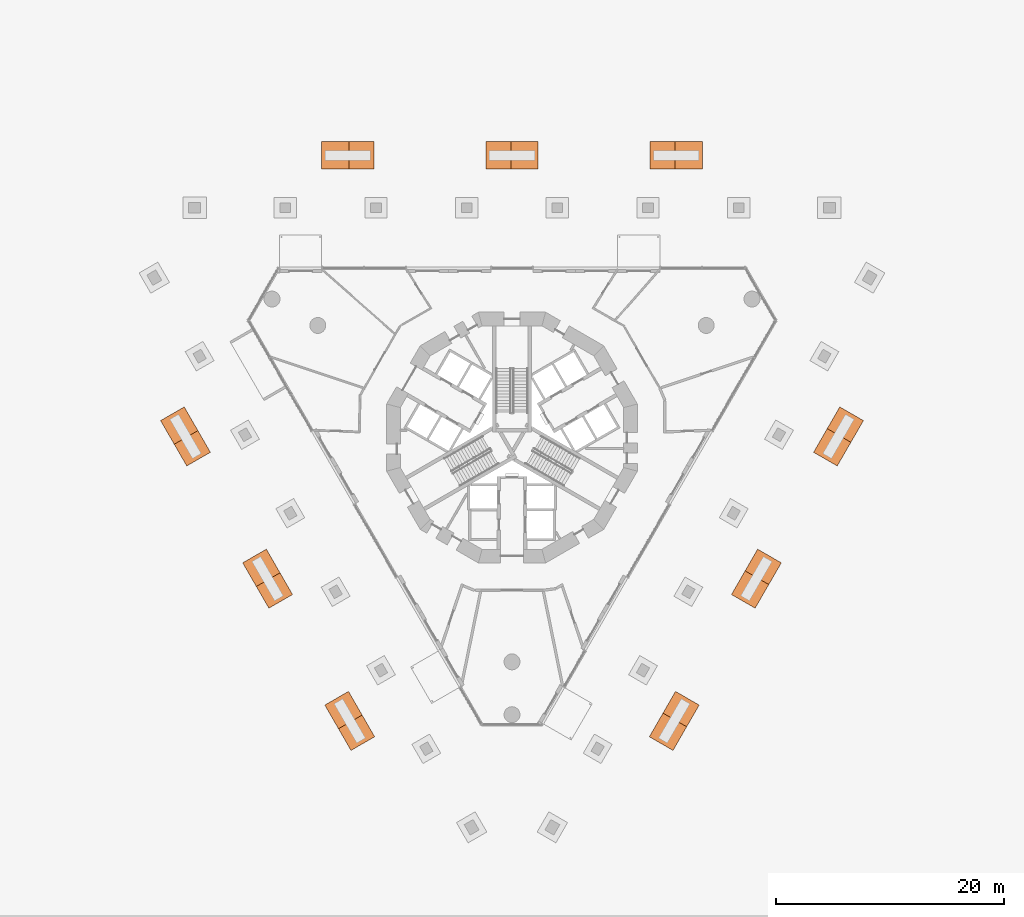
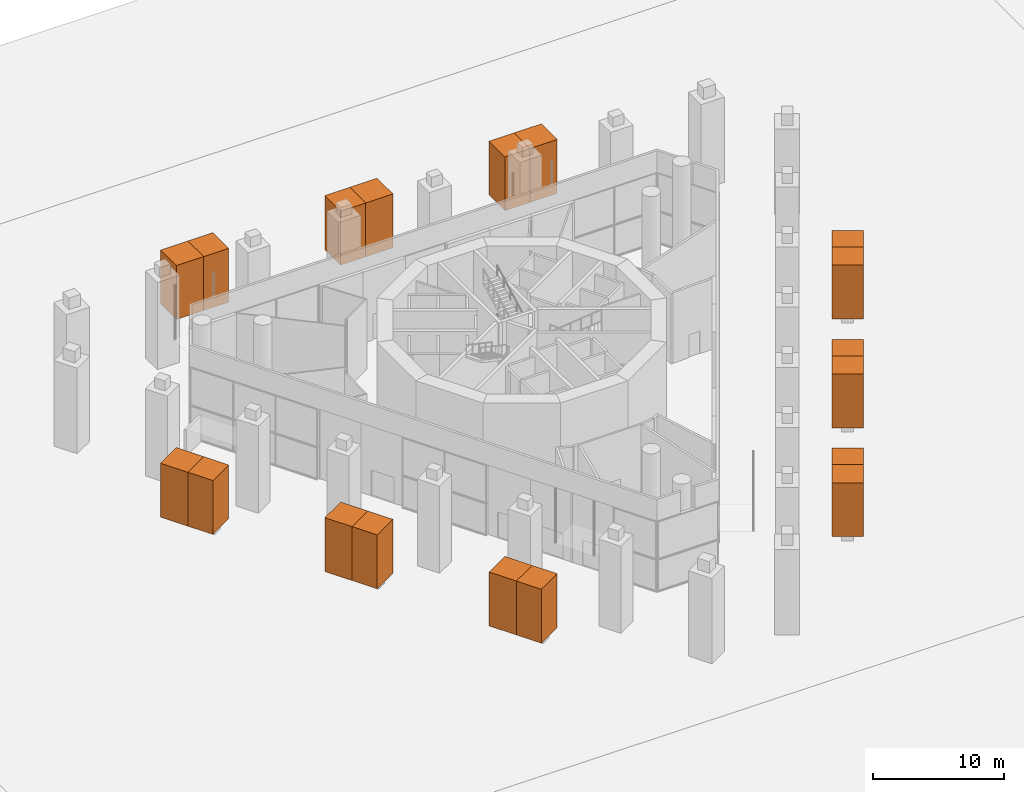
# One storey, part 26 of 26: 18 geographic elements.
"""IFC4 building model written with IfcOpenShell, lengths in metres."""

from ifc_helpers import new_model, si_unit, direction, frame, origin, origin_2d, place, context, subcontext, project, spatial, rectangle, extrude, element, save


model = new_model("IFC4")

# Units and contexts
model_context = context("Model", 3, precision=1e-05, world=origin(), true_north=direction((0.0, 1.0)))
body_context = subcontext(model_context, "Body", "Model", "MODEL_VIEW")
ifc_project = project(units=[si_unit("LENGTHUNIT", "METRE"), si_unit("AREAUNIT", "SQUARE_METRE"), si_unit("VOLUMEUNIT", "CUBIC_METRE"), si_unit("PLANEANGLEUNIT", "RADIAN"), si_unit("MASSUNIT", "GRAM", prefix="KILO")], contexts=[model_context])

# Site, building, storey
site_placement = place(None, origin())
site = spatial("IfcSite", under=ifc_project, at=site_placement, CompositionType="ELEMENT")
building_placement = place(site_placement, origin())
building = spatial("IfcBuilding", under=site, at=building_placement, Name="Trine Commons Tower", CompositionType="ELEMENT")
storey_placement = place(building_placement, origin())
storey = spatial("IfcBuildingStorey", under=building, at=storey_placement, Name="L00", CompositionType="ELEMENT", Elevation=0.0)

# Geographic elements
for number, where, z_axis, x_axis, name in (
    (1, (64.47412109375, 87.28466796875, 0.60009765625), (0.0, 0.0, 1.0), (1.0, 0.0, 0.0), "Plaza tree 1.1"),
    (2, (66.674072265625, 87.28466796875, 0.60009765625), (0.0, 0.0, 1.0), (1.0, 0.0, 0.0), "Plaza tree 1.2"),
    (3, (78.89990234375, 87.28466796875, 0.60009765625), (0.0, 0.0, 1.0), (1.0, 0.0, 0.0), "Plaza tree 2.1"),
    (4, (81.10009765625, 87.28466796875, 0.60009765625), (0.0, 0.0, 1.0), (1.0, 0.0, 0.0), "Plaza tree 2.2"),
    (5, (93.325927734375, 87.28466796875, 0.60009765625), (0.0, 0.0, 1.0), (1.0, 0.0, 0.0), "Plaza tree 3.1"),
    (6, (95.52587890625, 87.28466796875, 0.60009765625), (0.0, 0.0, 1.0), (1.0, 0.0, 0.0), "Plaza tree 3.2"),
    (7, (109.22705078125, 63.553466796875, 0.60009765625), (0.0, 0.0, 1.0), (-0.5, -0.866025403784, 0.0), "Plaza tree 4.1"),
    (8, (108.126953125, 61.648193359375, 0.60009765625), (0.0, 0.0, 1.0), (-0.5, -0.866025403784, 0.0), "Plaza tree 4.2"),
    (9, (102.01416015625, 51.060302734375, 0.60009765625), (0.0, 0.0, 1.0), (-0.5, -0.866025403784, 0.0), "Plaza tree 5.1"),
    (10, (100.9140625, 49.155029296875, 0.60009765625), (0.0, 0.0, 1.0), (-0.5, -0.866025403784, 0.0), "Plaza tree 5.2"),
    (11, (94.80126953125, 38.567138671875, 0.60009765625), (0.0, 0.0, 1.0), (-0.5, -0.866025403784, 0.0), "Plaza tree 6.1"),
    (12, (93.701171875, 36.661865234375, 0.60009765625), (0.0, 0.0, 1.0), (-0.5, -0.866025403784, 0.0), "Plaza tree 6.2"),
    (13, (66.298828125, 36.661865234375, 0.60009765625), (0.0, 0.0, 1.0), (-0.5, 0.866025403784, 0.0), "Plaza tree 7.1"),
    (14, (65.19873046875, 38.567138671875, 0.60009765625), (0.0, 0.0, 1.0), (-0.5, 0.866025403784, 0.0), "Plaza tree 7.2"),
    (15, (59.0859375, 49.155029296875, 0.60009765625), (0.0, 0.0, 1.0), (-0.5, 0.866025403784, 0.0), "Plaza tree 8.1"),
    (16, (57.98583984375, 51.060302734375, 0.60009765625), (0.0, 0.0, 1.0), (-0.5, 0.866025403784, 0.0), "Plaza tree 8.2"),
    (17, (51.873046875, 61.648193359375, 0.60009765625), (0.0, 0.0, 1.0), (-0.5, 0.866025403784, 0.0), "Plaza tree 9.1"),
    (18, (50.77294921875, 63.553466796875, 0.60009765625), (0.0, 0.0, 1.0), (-0.5, 0.866025403784, 0.0), "Plaza tree 9.2"),
):
    element("IfcGeographicElement", number, at=place(storey_placement, frame(where, z_axis=z_axis, x_axis=x_axis)), inside=storey, Name=name, ObjectType="TREE Tabebuia rosea", PredefinedType="USERDEFINED", context=body_context, shape_type="SweptSolid", body=[
        extrude(rectangle(XDim=2.39990234375, YDim=2.39990234375, at=origin_2d()), origin(), (0.0, 0.0, 1.0), 5.0),
    ])

save(model, "model.ifc")
